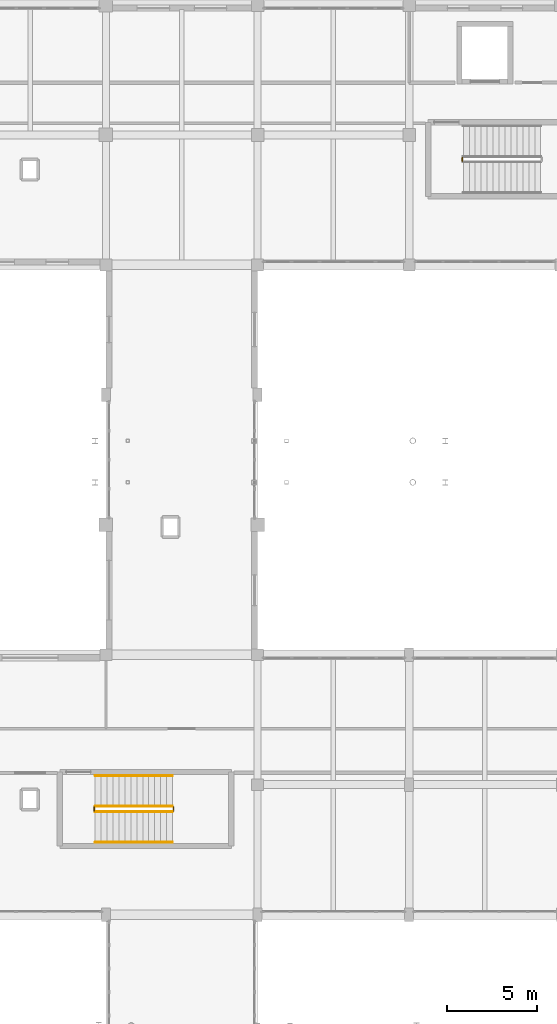
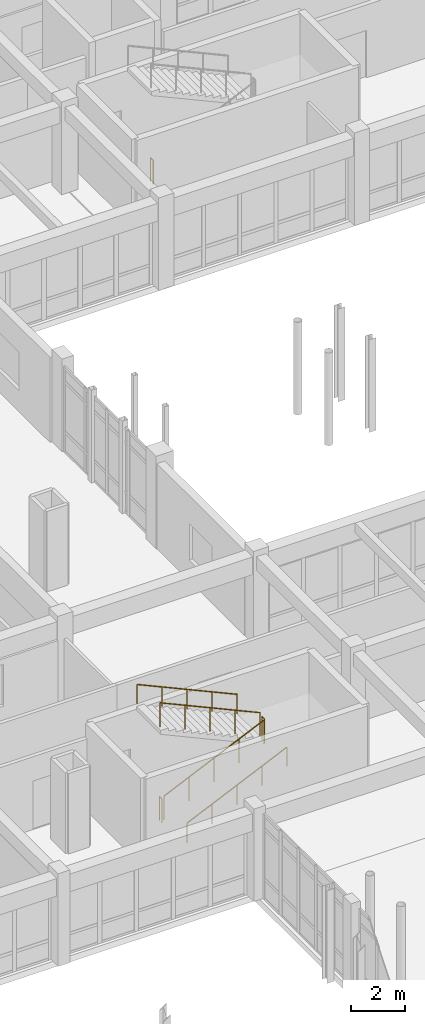
# One storey, part 145 of 147: 7 railings.
"""IFC4 building model written with IfcOpenShell, lengths in metres."""

from ifc_helpers import new_model, si_unit, direction, frame, origin, origin_2d, place, context, subcontext, project, spatial, circle, extrude, material, layer, layer_set, type_object, element, save


model = new_model("IFC4")

# Units and contexts
model_context = context("Model", 3, precision=1e-05, world=origin(), true_north=direction((0.0, 1.0)))
body_context = subcontext(model_context, "Body", "Model", "MODEL_VIEW")
ifc_project = project(units=[si_unit("LENGTHUNIT", "METRE"), si_unit("AREAUNIT", "SQUARE_METRE"), si_unit("VOLUMEUNIT", "CUBIC_METRE"), si_unit("PLANEANGLEUNIT", "RADIAN"), si_unit("MASSUNIT", "GRAM", prefix="KILO")], contexts=[model_context])

# Site, building, storey
site_placement = place(None, origin())
site = spatial("IfcSite", under=ifc_project, at=site_placement, CompositionType="ELEMENT")
building_placement = place(site_placement, origin())
building = spatial("IfcBuilding", under=site, at=building_placement, Name="Malvenik Polytechnic", CompositionType="ELEMENT")
storey_placement = place(building_placement, frame((0.0, 0.0, 5.10009765625)))
storey = spatial("IfcBuildingStorey", under=building, at=storey_placement, Name="L01", CompositionType="ELEMENT", Elevation=5.10009765625)

# Railings
ifc_material_1 = material(Name="Painted galvanised steel stair well balustrade 1100mm", Category="steel")
ifc_layer_1 = layer(ifc_material_1, 0.050048828125)
ifc_layer_set_1 = layer_set([ifc_layer_1], Name="Painted galvanised steel stair well balustrade 1100mm")
railing_type_1 = type_object("IfcRailingType", Name="ARC-RL-STGD", PredefinedType="BALUSTRADE", material=ifc_layer_set_1)
railing_1_placement = place(storey_placement, frame((95.35009765625, 120.949951171875, 0.0)))
element("IfcRailing", 1, at=railing_1_placement, inside=storey, type_object=railing_type_1, Name="L01 ST-03 stair guard 4", PredefinedType="BALUSTRADE", context=body_context, shape_type="SweptSolid", body=[
    extrude(circle(Radius=0.02392578125, at=origin_2d()), frame((0.0, 0.0, 1.076171875), z_axis=(0.0, 1.0, 0.0), x_axis=(-1.0, 0.0, 0.0)), (0.0, 0.0, 1.0), 0.199951171875),
    extrude(circle(Radius=0.02099609375, at=origin_2d()), origin(), (0.0, 0.0, 1.0), 1.052001953125),
    extrude(circle(Radius=0.02099609375, at=origin_2d()), frame((0.0, 0.199951171875, 0.0)), (0.0, 0.0, 1.0), 1.052001953125),
])
railing_2_placement = place(storey_placement, frame((75.0, 84.89990234375, 0.14990234375)))
element("IfcRailing", 2, at=railing_2_placement, inside=storey, type_object=railing_type_1, Name="L01 ST-05 stair guard 1", PredefinedType="BALUSTRADE", context=body_context, shape_type="SweptSolid", body=[
    extrude(circle(Radius=0.02392578125, at=origin_2d()), frame((0.0, 0.0, 1.076171875), z_axis=(0.910371800137, 0.0, 0.413791234219), x_axis=(0.0, 1.0, 0.0)), (0.0, 0.0, 1.0), 4.71240234375),
    extrude(circle(Radius=0.02099609375, at=origin_2d()), origin(), (0.0, 0.0, 1.0), 1.052001953125),
    extrude(circle(Radius=0.02099609375, at=origin_2d()), frame((1.072509765625, 0.0, 0.487548828125)), (0.0, 0.0, 1.0), 1.052001953125),
    extrude(circle(Radius=0.02099609375, at=origin_2d()), frame((2.14501953125, 0.0, 0.97509765625)), (0.0, 0.0, 1.0), 1.052001953125),
    extrude(circle(Radius=0.02099609375, at=origin_2d()), frame((3.217529296875, 0.0, 1.46240234375)), (0.0, 0.0, 1.0), 1.052001953125),
    extrude(circle(Radius=0.02099609375, at=origin_2d()), frame((4.2900390625, 0.0, 1.949951171875)), (0.0, 0.0, 1.0), 1.052001953125),
])
railing_3_placement = place(storey_placement, frame((79.340087890625, 84.949951171875, 2.099853515625)))
element("IfcRailing", 3, at=railing_3_placement, inside=storey, type_object=railing_type_1, Name="L01 ST-05 stair guard 2", PredefinedType="BALUSTRADE", context=body_context, shape_type="SweptSolid", body=[
    extrude(circle(Radius=0.02392578125, at=origin_2d()), frame((0.0, 0.0, 1.076171875), z_axis=(0.0, 1.0, 0.0), x_axis=(-1.0, 0.0, 0.0)), (0.0, 0.0, 1.0), 0.199951171875),
    extrude(circle(Radius=0.02099609375, at=origin_2d()), origin(), (0.0, 0.0, 1.0), 1.052001953125),
    extrude(circle(Radius=0.02099609375, at=origin_2d()), frame((0.0, 0.199951171875, 0.0)), (0.0, 0.0, 1.0), 1.052001953125),
])
railing_4_placement = place(storey_placement, frame((79.2900390625, 85.199951171875, 2.25)))
element("IfcRailing", 4, at=railing_4_placement, inside=storey, type_object=railing_type_1, Name="L01 ST-05 stair guard 3", PredefinedType="BALUSTRADE", context=body_context, shape_type="SweptSolid", body=[
    extrude(circle(Radius=0.02392578125, at=origin_2d()), frame((0.0, 0.0, 1.076171875), z_axis=(-0.910371800137, 0.0, 0.413791234219), x_axis=(0.0, -1.0, 0.0)), (0.0, 0.0, 1.0), 4.71240234375),
    extrude(circle(Radius=0.02099609375, at=origin_2d()), origin(), (0.0, 0.0, 1.0), 1.052001953125),
    extrude(circle(Radius=0.02099609375, at=origin_2d()), frame((-1.072509765625, 0.0, 0.487548828125)), (0.0, 0.0, 1.0), 1.052001953125),
    extrude(circle(Radius=0.02099609375, at=origin_2d()), frame((-2.14501953125, 0.0, 0.97509765625)), (0.0, 0.0, 1.0), 1.052001953125),
    extrude(circle(Radius=0.02099609375, at=origin_2d()), frame((-3.217529296875, 0.0, 1.46240234375)), (0.0, 0.0, 1.0), 1.052001953125),
    extrude(circle(Radius=0.02099609375, at=origin_2d()), frame((-4.2900390625, 0.0, 1.949951171875)), (0.0, 0.0, 1.0), 1.052001953125),
])
railing_5_placement = place(storey_placement, frame((74.949951171875, 84.949951171875, 0.0)))
element("IfcRailing", 5, at=railing_5_placement, inside=storey, type_object=railing_type_1, Name="L01 ST-05 stair guard 4", PredefinedType="BALUSTRADE", context=body_context, shape_type="SweptSolid", body=[
    extrude(circle(Radius=0.02392578125, at=origin_2d()), frame((0.0, 0.0, 1.076171875), z_axis=(0.0, 1.0, 0.0), x_axis=(-1.0, 0.0, 0.0)), (0.0, 0.0, 1.0), 0.199951171875),
    extrude(circle(Radius=0.02099609375, at=origin_2d()), origin(), (0.0, 0.0, 1.0), 1.052001953125),
    extrude(circle(Radius=0.02099609375, at=origin_2d()), frame((0.0, 0.199951171875, 0.0)), (0.0, 0.0, 1.0), 1.052001953125),
])
ifc_material_2 = material(Name="Brushed stainless steel 1.4301 stair wall handrail", Category="steel")
ifc_layer_2 = layer(ifc_material_2, 0.044921875)
ifc_layer_set_2 = layer_set([ifc_layer_2], Name="Brushed stainless steel 1.4301 stair wall handrail")
railing_type_2 = type_object("IfcRailingType", Name="ARC-RL-STHR", PredefinedType="HANDRAIL", material=ifc_layer_set_2)
railing_6_placement = place(storey_placement, frame((75.0, 83.199951171875, 0.14990234375)))
element("IfcRailing", 6, at=railing_6_placement, inside=storey, type_object=railing_type_2, Name="L01 ST-05 stair handrail 1", PredefinedType="HANDRAIL", context=body_context, shape_type="SweptSolid", body=[
    extrude(circle(Radius=0.02392578125, at=origin_2d()), frame((0.0, 0.0, 0.8759765625), z_axis=(0.910371800137, 0.0, 0.413791234219), x_axis=(0.0, 1.0, 0.0)), (0.0, 0.0, 1.0), 4.71240234375),
    extrude(circle(Radius=0.02099609375, at=origin_2d()), origin(), (0.0, 0.0, 1.0), 0.851806640625),
    extrude(circle(Radius=0.02099609375, at=origin_2d()), frame((1.072509765625, 0.0, 0.487548828125)), (0.0, 0.0, 1.0), 0.851806640625),
    extrude(circle(Radius=0.02099609375, at=origin_2d()), frame((2.14501953125, 0.0, 0.97509765625)), (0.0, 0.0, 1.0), 0.851806640625),
    extrude(circle(Radius=0.02099609375, at=origin_2d()), frame((3.217529296875, 0.0, 1.46240234375)), (0.0, 0.0, 1.0), 0.851806640625),
    extrude(circle(Radius=0.02099609375, at=origin_2d()), frame((4.2900390625, 0.0, 1.949951171875)), (0.0, 0.0, 1.0), 0.851806640625),
])
railing_7_placement = place(storey_placement, frame((79.2900390625, 86.89990234375, 2.25)))
element("IfcRailing", 7, at=railing_7_placement, inside=storey, type_object=railing_type_2, Name="L01 ST-05 stair handrail 2", PredefinedType="HANDRAIL", context=body_context, shape_type="SweptSolid", body=[
    extrude(circle(Radius=0.02392578125, at=origin_2d()), frame((0.0, 0.0, 0.8759765625), z_axis=(-0.910371800137, 0.0, 0.413791234219), x_axis=(0.0, -1.0, 0.0)), (0.0, 0.0, 1.0), 4.71240234375),
    extrude(circle(Radius=0.02099609375, at=origin_2d()), origin(), (0.0, 0.0, 1.0), 0.851806640625),
    extrude(circle(Radius=0.02099609375, at=origin_2d()), frame((-1.072509765625, 0.0, 0.487548828125)), (0.0, 0.0, 1.0), 0.851806640625),
    extrude(circle(Radius=0.02099609375, at=origin_2d()), frame((-2.14501953125, 0.0, 0.97509765625)), (0.0, 0.0, 1.0), 0.851806640625),
    extrude(circle(Radius=0.02099609375, at=origin_2d()), frame((-3.217529296875, 0.0, 1.46240234375)), (0.0, 0.0, 1.0), 0.851806640625),
    extrude(circle(Radius=0.02099609375, at=origin_2d()), frame((-4.2900390625, 0.0, 1.949951171875)), (0.0, 0.0, 1.0), 0.851806640625),
])

save(model, "model.ifc")
